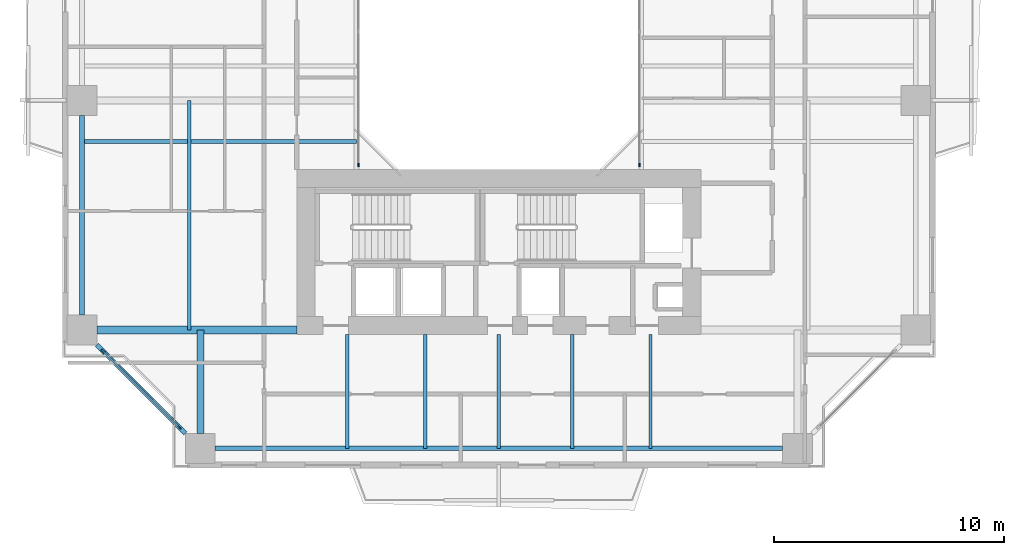
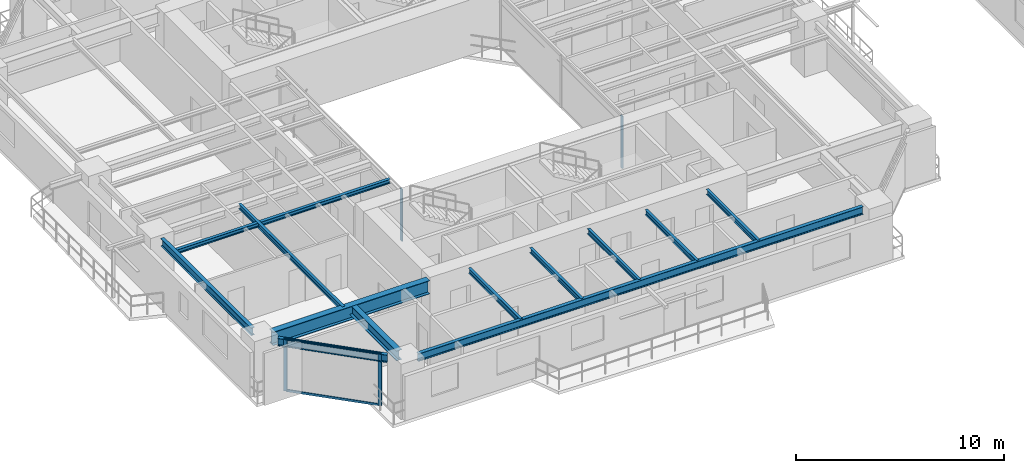
# One storey, part 2 of 23: 12 beams, 6 members, 3 elements without a shape of their own.
"""IFC4 building model written with IfcOpenShell, lengths in metres."""

from ifc_helpers import new_model, si_unit, direction, frame, origin, origin_2d, place, context, subcontext, project, spatial, rectangle, i_section, extrude, source, transform, mapped, material, layer, layer_set, material_profile, profile_set, type_object, element, aggregate, save


model = new_model("IFC4")

# Units and contexts
model_context = context("Model", 3, precision=1e-05, world=origin(), true_north=direction((0.0, 1.0)))
body_context = subcontext(model_context, "Body", "Model", "MODEL_VIEW")
ifc_project = project(units=[si_unit("LENGTHUNIT", "METRE"), si_unit("AREAUNIT", "SQUARE_METRE"), si_unit("VOLUMEUNIT", "CUBIC_METRE"), si_unit("PLANEANGLEUNIT", "RADIAN"), si_unit("MASSUNIT", "GRAM", prefix="KILO"), si_unit("THERMODYNAMICTEMPERATUREUNIT", "KELVIN"), si_unit("POWERUNIT", "WATT")], contexts=[model_context])

# Site, building, storey
site_placement = place(None, origin())
site = spatial("IfcSite", under=ifc_project, at=site_placement, CompositionType="ELEMENT")
building_placement = place(site_placement, origin())
building = spatial("IfcBuilding", under=site, at=building_placement, Name="Qiaomeng Ring Towers", CompositionType="ELEMENT")
storey_placement = place(building_placement, frame((0.0, 0.0, 29.5)))
storey = spatial("IfcBuildingStorey", under=building, at=storey_placement, Name="L07", CompositionType="ELEMENT", Elevation=29.5)

# Beams
ifc_material_1 = material(Name="Steel Q355B", Category="steel")
ifc_material_profile_1 = material_profile(ifc_material_1, i_section(OverallWidth=0.199951171875, OverallDepth=0.449951171875, WebThickness=0.009033203125, FlangeThickness=0.013916015625, FilletRadius=0.01806640625, at=origin_2d()), Name="HN 450x200x9x14")
ifc_profile_set_1 = profile_set([ifc_material_profile_1], Name="Steel Q355B")
beam_type_1 = type_object("IfcBeamType", Name="STR-BM-HN450", PredefinedType="SPANDREL", material=ifc_profile_set_1)
shared_shape_1 = source(origin(), body_context, "Body", "SweptSolid", [
    extrude(i_section(OverallWidth=0.199951171875, OverallDepth=0.449951171875, WebThickness=0.009033203125, FlangeThickness=0.013916015625, FilletRadius=0.01806640625, at=origin_2d()), origin(), (0.0, 0.0, 1.0), 24.7021484375),
])
beam_1_placement = place(storey_placement, frame((6.64892578125, 4.85009765625, 2.844970703125), z_axis=(1.0, 0.0, 0.0), x_axis=(0.0, 1.0, 0.0)))
element("IfcBeam", 1, at=beam_1_placement, inside=storey, type_object=beam_type_1, Name="L07 beam STR-SP-L07-T1-S1-S2", PredefinedType="SPANDREL", context=body_context, shape_type="MappedRepresentation", body=[
    mapped(shared_shape_1, transform((0.0, 0.0, 0.0), x_axis=(1.0, 0.0, 0.0), y_axis=(0.0, 1.0, 0.0), z_axis=(0.0, 0.0, 1.0), scale=1.0)),
])
shared_shape_2 = source(origin(), body_context, "Body", "SweptSolid", [
    extrude(i_section(OverallWidth=0.199951171875, OverallDepth=0.449951171875, WebThickness=0.009033203125, FlangeThickness=0.013916015625, FilletRadius=0.01806640625, at=origin_2d()), origin(), (0.0, 0.0, 1.0), 5.446533203125),
])
beam_2_placement = place(storey_placement, frame((1.499267578125, 9.3505859375, 2.844970703125), z_axis=(0.707106781187, -0.707106781187, 0.0), x_axis=(0.707106781187, 0.707106781187, 0.0)))
element("IfcBeam", 2, at=beam_2_placement, inside=storey, type_object=beam_type_1, Name="L07 beam STR-SP-L07-T1-W1-S1", PredefinedType="SPANDREL", context=body_context, shape_type="MappedRepresentation", body=[
    mapped(shared_shape_2, transform((0.0, 0.0, 0.0), x_axis=(1.0, 0.0, 0.0), y_axis=(0.0, 1.0, 0.0), z_axis=(0.0, 0.0, 1.0), scale=1.0)),
])
shared_shape_3 = source(origin(), body_context, "Body", "SweptSolid", [
    extrude(i_section(OverallWidth=0.199951171875, OverallDepth=0.449951171875, WebThickness=0.009033203125, FlangeThickness=0.013916015625, FilletRadius=0.01806640625, at=origin_2d()), origin(), (0.0, 0.0, 1.0), 8.7021484375),
])
beam_3_placement = place(storey_placement, frame((0.85009765625, 19.35107421875, 2.844970703125), z_axis=(0.0, -1.0, 0.0), x_axis=(1.0, 0.0, 0.0)))
element("IfcBeam", 3, at=beam_3_placement, inside=storey, type_object=beam_type_1, Name="L07 beam STR-SP-L07-T1-W2-W1", PredefinedType="SPANDREL", context=body_context, shape_type="MappedRepresentation", body=[
    mapped(shared_shape_3, transform((0.0, 0.0, 0.0), x_axis=(1.0, 0.0, 0.0), y_axis=(0.0, 1.0, 0.0), z_axis=(0.0, 0.0, 1.0), scale=1.0)),
])
ifc_material_2 = material(Name="Steel Q390GJC", Category="steel")
ifc_material_profile_2 = material_profile(ifc_material_2, i_section(OverallWidth=0.35009765625, OverallDepth=0.800048828125, WebThickness=0.01611328125, FlangeThickness=0.028076171875, at=origin_2d()), Name="WH 800x350x16x28")
ifc_profile_set_2 = profile_set([ifc_material_profile_2], Name="Steel Q390GJC")
beam_type_2 = type_object("IfcBeamType", Name="STR-BM-WH800", PredefinedType="BEAM", material=ifc_profile_set_2)
shared_shape_4 = source(origin(), body_context, "Body", "SweptSolid", [
    extrude(i_section(OverallWidth=0.35009765625, OverallDepth=0.800048828125, WebThickness=0.01611328125, FlangeThickness=0.028076171875, at=origin_2d()), origin(), (0.0, 0.0, 1.0), 8.700927734375),
])
beam_4_placement = place(storey_placement, frame((1.4990234375, 10.0, 2.669921875), z_axis=(1.0, 0.0, 0.0), x_axis=(0.0, 1.0, 0.0)))
element("IfcBeam", 4, at=beam_4_placement, inside=storey, type_object=beam_type_2, Name="L07 beam STR-BM-L07-T1-RAD-W1", PredefinedType="BEAM", context=body_context, shape_type="MappedRepresentation", body=[
    mapped(shared_shape_4, transform((0.0, 0.0, 0.0), x_axis=(1.0, 0.0, 0.0), y_axis=(0.0, 1.0, 0.0), z_axis=(0.0, 0.0, 1.0), scale=1.0)),
])
ifc_material_profile_3 = material_profile(ifc_material_1, i_section(OverallWidth=0.300048828125, OverallDepth=0.587890625, WebThickness=0.011962890625, FlangeThickness=0.02001953125, FilletRadius=0.028076171875, at=origin_2d()), Name="HM 588x300x12x20")
ifc_profile_set_3 = profile_set([ifc_material_profile_3], Name="Steel Q355B")
beam_type_3 = type_object("IfcBeamType", Name="STR-BM-HM588", PredefinedType="BEAM", material=ifc_profile_set_3)
shared_shape_5 = source(origin(), body_context, "Body", "SweptSolid", [
    extrude(i_section(OverallWidth=0.300048828125, OverallDepth=0.587890625, WebThickness=0.011962890625, FlangeThickness=0.02001953125, FilletRadius=0.028076171875, at=origin_2d()), origin(), (0.0, 0.0, 1.0), 4.5009765625),
])
beam_5_placement = place(storey_placement, frame((6.0, 5.4990234375, 2.77587890625), z_axis=(0.0, 1.0, 0.0), x_axis=(-1.0, 0.0, 0.0)))
element("IfcBeam", 5, at=beam_5_placement, inside=storey, type_object=beam_type_3, Name="L07 beam STR-BM-L07-T1-RAD-S1", PredefinedType="BEAM", context=body_context, shape_type="MappedRepresentation", body=[
    mapped(shared_shape_5, transform((0.0, 0.0, 0.0), x_axis=(1.0, 0.0, 0.0), y_axis=(0.0, 1.0, 0.0), z_axis=(0.0, 0.0, 1.0), scale=1.0)),
])
ifc_material_profile_4 = material_profile(ifc_material_1, i_section(OverallWidth=0.14990234375, OverallDepth=0.300048828125, WebThickness=0.006591796875, FlangeThickness=0.009033203125, FilletRadius=0.012939453125, at=origin_2d()), Name="HN 300x150x6.5x9")
ifc_profile_set_4 = profile_set([ifc_material_profile_4], Name="Steel Q355B")
beam_type_4 = type_object("IfcBeamType", Name="STR-BM-HN300", PredefinedType="JOIST", material=ifc_profile_set_4)
shared_shape_6 = source(origin(), body_context, "Body", "SweptSolid", [
    extrude(i_section(OverallWidth=0.14990234375, OverallDepth=0.300048828125, WebThickness=0.006591796875, FlangeThickness=0.009033203125, FilletRadius=0.012939453125, at=origin_2d()), origin(), (0.0, 0.0, 1.0), 4.949951171875),
])
for number, where, z_axis, x_axis, name in (
    (6, (12.39990234375, 4.85009765625, 2.919921875), (0.0, 1.0, 0.0), (-1.0, 0.0, 0.0), "L07 beam STR-JST-L07-T1S-1"),
    (7, (15.800048828125, 4.85009765625, 2.919921875), (0.0, 1.0, 0.0), (-1.0, 0.0, 0.0), "L07 beam STR-JST-L07-T1S-2"),
    (8, (19.0, 4.85009765625, 2.919921875), (0.0, 1.0, 0.0), (-1.0, 0.0, 0.0), "L07 beam STR-JST-L07-T1S-3"),
    (9, (22.199951171875, 4.85009765625, 2.919921875), (0.0, 1.0, 0.0), (-1.0, 0.0, 0.0), "L07 beam STR-JST-L07-T1S-4"),
    (10, (25.60009765625, 4.85009765625, 2.919921875), (0.0, 1.0, 0.0), (-1.0, 0.0, 0.0), "L07 beam STR-JST-L07-T1S-5"),
):
    element("IfcBeam", number, at=place(storey_placement, frame(where, z_axis=z_axis, x_axis=x_axis)), inside=storey, type_object=beam_type_4, Name=name, PredefinedType="JOIST", context=body_context, shape_type="MappedRepresentation", body=[
        mapped(shared_shape_6, transform((0.0, 0.0, 0.0), x_axis=(1.0, 0.0, 0.0), y_axis=(0.0, 1.0, 0.0), z_axis=(0.0, 0.0, 1.0), scale=1.0)),
    ])
ifc_material_profile_5 = material_profile(ifc_material_1, i_section(OverallWidth=0.175048828125, OverallDepth=0.243896484375, WebThickness=0.007080078125, FlangeThickness=0.010986328125, FilletRadius=0.01611328125, at=origin_2d()), Name="HM 244x175x7x11")
ifc_profile_set_5 = profile_set([ifc_material_profile_5], Name="Steel Q355B")
beam_type_5 = type_object("IfcBeamType", Name="STR-BM-HM244", PredefinedType="JOIST", material=ifc_profile_set_5)
shared_shape_7 = source(origin(), body_context, "Body", "SweptSolid", [
    extrude(i_section(OverallWidth=0.175048828125, OverallDepth=0.243896484375, WebThickness=0.007080078125, FlangeThickness=0.010986328125, FilletRadius=0.01611328125, at=origin_2d()), origin(), (0.0, 0.0, 1.0), 11.949951171875),
])
beam_6_placement = place(storey_placement, frame((0.85009765625, 18.199951171875, 2.947998046875), z_axis=(1.0, 0.0, 0.0), x_axis=(0.0, 1.0, 0.0)))
element("IfcBeam", 11, at=beam_6_placement, inside=storey, type_object=beam_type_5, Name="L07 beam STR-JST-L07-T1W-1", PredefinedType="JOIST", context=body_context, shape_type="MappedRepresentation", body=[
    mapped(shared_shape_7, transform((0.0, 0.0, 0.0), x_axis=(1.0, 0.0, 0.0), y_axis=(0.0, 1.0, 0.0), z_axis=(0.0, 0.0, 1.0), scale=1.0)),
])
shared_shape_8 = source(origin(), body_context, "Body", "SweptSolid", [
    extrude(i_section(OverallWidth=0.14990234375, OverallDepth=0.300048828125, WebThickness=0.006591796875, FlangeThickness=0.009033203125, FilletRadius=0.012939453125, at=origin_2d()), origin(), (0.0, 0.0, 1.0), 10.0),
])
beam_7_placement = place(storey_placement, frame((5.52490234375, 10.0, 2.919921875), z_axis=(0.0, 1.0, 0.0), x_axis=(-1.0, 0.0, 0.0)))
element("IfcBeam", 12, at=beam_7_placement, inside=storey, type_object=beam_type_4, Name="L07 beam STR-JST-L07-T1C-WS", PredefinedType="JOIST", context=body_context, shape_type="MappedRepresentation", body=[
    mapped(shared_shape_8, transform((0.0, 0.0, 0.0), x_axis=(1.0, 0.0, 0.0), y_axis=(0.0, 1.0, 0.0), z_axis=(0.0, 0.0, 1.0), scale=1.0)),
])

# Curtain wall, member
ifc_material_3 = material(Name="Fluorocarbon dark-grey aluminium", Category="aluminium")
ifc_layer_1 = layer(ifc_material_3, 0.139892578125, Name="Fluorocarbon dark-grey aluminium")
ifc_layer_set_1 = layer_set([ifc_layer_1], Name="Fluorocarbon dark-grey aluminium")
curtain_wall_type_1 = type_object("IfcCurtainWallType", Name="ARC-CW-4", PredefinedType="NOTDEFINED", material=ifc_layer_set_1)
curtain_wall_1_placement = place(storey_placement, origin())
curtain_wall_1 = element("IfcCurtainWall", 13, at=curtain_wall_1_placement, inside=storey, type_object=curtain_wall_type_1, Name="L07 Curtain Wall CW4", PredefinedType="NOTDEFINED")
ifc_material_profile_6 = material_profile(ifc_material_3, rectangle(XDim=0.06494140625, YDim=0.159912109375, at=origin_2d()), Name="ALU MULL 65x160")
ifc_profile_set_6 = profile_set([ifc_material_profile_6], Name="Fluorocarbon dark-grey aluminium")
member_type_1 = type_object("IfcMemberType", Name="ARC-CWM-140", PredefinedType="MULLION", material=ifc_profile_set_6)
shared_shape_9 = source(origin(), body_context, "Body", "SweptSolid", [
    extrude(rectangle(XDim=0.06494140625, YDim=0.159912109375, at=origin_2d()), origin(), (0.0, 0.0, 1.0), 3.070068359375),
])
member_1_placement = place(storey_placement, frame((12.8798828125, 17.1826171875, 0.0), z_axis=(0.0, 0.0, 1.0), x_axis=(-1.0, 0.0, 0.0)))
member_1 = element("IfcMember", 14, at=member_1_placement, type_object=member_type_1, Name="CW4 mullion 1", PredefinedType="MULLION", context=body_context, shape_type="MappedRepresentation", body=[
    mapped(shared_shape_9, transform((0.0, 0.0, 0.0), x_axis=(1.0, 0.0, 0.0), y_axis=(0.0, 1.0, 0.0), z_axis=(0.0, 0.0, 1.0), scale=1.0)),
])
aggregate(curtain_wall_1, [member_1])

curtain_wall_2_placement = place(storey_placement, origin())
curtain_wall_2 = element("IfcCurtainWall", 15, at=curtain_wall_2_placement, inside=storey, type_object=curtain_wall_type_1, Name="L07 Curtain Wall CW4", PredefinedType="NOTDEFINED")
member_2_placement = place(storey_placement, frame((25.1201171875, 17.1826171875, 0.0), z_axis=(0.0, 0.0, 1.0), x_axis=(-1.0, 0.0, 0.0)))
member_2 = element("IfcMember", 16, at=member_2_placement, type_object=member_type_1, Name="CW4 mullion 1", PredefinedType="MULLION", context=body_context, shape_type="MappedRepresentation", body=[
    mapped(shared_shape_9, transform((0.0, 0.0, 0.0), x_axis=(1.0, 0.0, 0.0), y_axis=(0.0, 1.0, 0.0), z_axis=(0.0, 0.0, 1.0), scale=1.0)),
])
aggregate(curtain_wall_2, [member_2])

# Curtain wall, members
ifc_layer_2 = layer(ifc_material_3, 0.159912109375, Name="Fluorocarbon dark-grey aluminium")
ifc_layer_set_2 = layer_set([ifc_layer_2], Name="Fluorocarbon dark-grey aluminium")
curtain_wall_type_2 = type_object("IfcCurtainWallType", Name="ARC-CW-2", PredefinedType="NOTDEFINED", material=ifc_layer_set_2)
curtain_wall_3_placement = place(storey_placement, origin())
curtain_wall_3 = element("IfcCurtainWall", 17, at=curtain_wall_3_placement, inside=storey, type_object=curtain_wall_type_2, Name="L07 Curtain Wall CW2", PredefinedType="NOTDEFINED")
ifc_material_profile_7 = material_profile(ifc_material_3, rectangle(XDim=0.070068359375, YDim=0.179931640625, at=origin_2d()), Name="ALU MULL 70x180")
ifc_profile_set_7 = profile_set([ifc_material_profile_7], Name="Fluorocarbon dark-grey aluminium")
member_type_2 = type_object("IfcMemberType", Name="ARC-CWM-160", PredefinedType="MULLION", material=ifc_profile_set_7)
shared_shape_10 = source(origin(), body_context, "Body", "SweptSolid", [
    extrude(rectangle(XDim=0.070068359375, YDim=0.179931640625, at=origin_2d()), origin(), (0.0, 0.0, 1.0), 3.070068359375),
])
member_3_placement = place(storey_placement, frame((1.7646484375, 9.085205078125, 0.0), z_axis=(0.0, 0.0, 1.0), x_axis=(0.707106781187, 0.707106781187, 0.0)))
member_3 = element("IfcMember", 18, at=member_3_placement, type_object=member_type_2, Name="CW2 mullion 1", PredefinedType="MULLION", context=body_context, shape_type="MappedRepresentation", body=[
    mapped(shared_shape_10, transform((0.0, 0.0, 0.0), x_axis=(1.0, 0.0, 0.0), y_axis=(0.0, 1.0, 0.0), z_axis=(0.0, 0.0, 1.0), scale=1.0)),
])
member_4_placement = place(storey_placement, frame((5.085205078125, 5.7646484375, 0.0), z_axis=(0.0, 0.0, 1.0), x_axis=(0.707106781187, 0.707106781187, 0.0)))
member_4 = element("IfcMember", 19, at=member_4_placement, type_object=member_type_2, Name="CW2 mullion 2", PredefinedType="MULLION", context=body_context, shape_type="MappedRepresentation", body=[
    mapped(shared_shape_10, transform((0.0, 0.0, 0.0), x_axis=(1.0, 0.0, 0.0), y_axis=(0.0, 1.0, 0.0), z_axis=(0.0, 0.0, 1.0), scale=1.0)),
])
ifc_material_profile_8 = material_profile(ifc_material_3, rectangle(XDim=0.06494140625, YDim=0.1298828125, at=origin_2d()), Name="ALU TRAN 65x130")
ifc_profile_set_8 = profile_set([ifc_material_profile_8], Name="Fluorocarbon dark-grey aluminium")
member_type_3 = type_object("IfcMemberType", Name="ARC-CWT-120", PredefinedType="USERDEFINED", material=ifc_profile_set_8)
shared_shape_11 = source(origin(), body_context, "Body", "SweptSolid", [
    extrude(rectangle(XDim=0.06494140625, YDim=0.1298828125, at=origin_2d()), origin(), (0.0, 0.0, 1.0), 4.6259765625),
])
member_5_placement = place(storey_placement, frame((1.78955078125, 9.060546875, 0.032470703125), z_axis=(0.707106781187, -0.707106781187, 0.0), x_axis=(0.707106781187, 0.707106781187, 0.0)))
member_5 = element("IfcMember", 20, at=member_5_placement, type_object=member_type_3, Name="CW2 transom 1.1", ObjectType="TRANSOM", PredefinedType="USERDEFINED", context=body_context, shape_type="MappedRepresentation", body=[
    mapped(shared_shape_11, transform((0.0, 0.0, 0.0), x_axis=(1.0, 0.0, 0.0), y_axis=(0.0, 1.0, 0.0), z_axis=(0.0, 0.0, 1.0), scale=1.0)),
])
member_6_placement = place(storey_placement, frame((1.78955078125, 9.060546875, 3.03759765625), z_axis=(0.707106781187, -0.707106781187, 0.0), x_axis=(0.707106781187, 0.707106781187, 0.0)))
member_6 = element("IfcMember", 21, at=member_6_placement, type_object=member_type_3, Name="CW2 transom 1.2", ObjectType="TRANSOM", PredefinedType="USERDEFINED", context=body_context, shape_type="MappedRepresentation", body=[
    mapped(shared_shape_11, transform((0.0, 0.0, 0.0), x_axis=(1.0, 0.0, 0.0), y_axis=(0.0, 1.0, 0.0), z_axis=(0.0, 0.0, 1.0), scale=1.0)),
])
aggregate(curtain_wall_3, [member_3, member_4, member_5, member_6])

save(model, "model.ifc")
